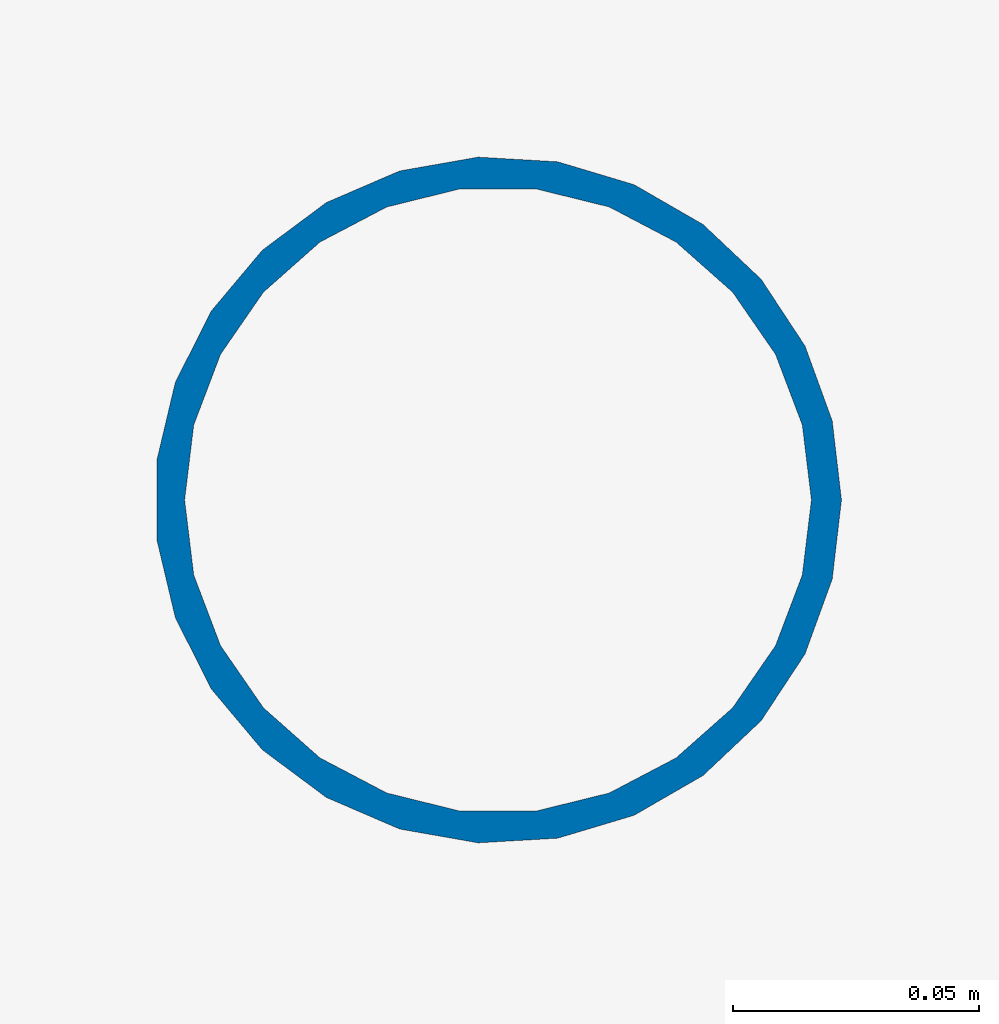
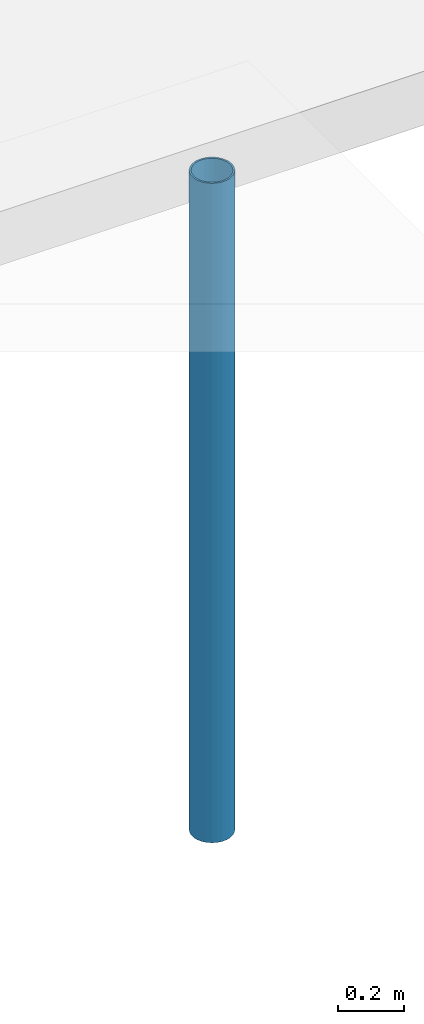
# One storey, part 12 of 71: 1 column.
"""IFC4 building model written with IfcOpenShell, lengths in metres."""

from ifc_helpers import new_model, si_unit, direction, frame, origin, origin_2d, place, context, subcontext, project, spatial, hollow_circle, extrude, material, material_profile, profile_set, type_object, element, save


model = new_model("IFC4")

# Units and contexts
model_context = context("Model", 3, precision=1e-05, world=origin(), true_north=direction((0.0, 1.0)))
body_context = subcontext(model_context, "Body", "Model", "MODEL_VIEW")
ifc_project = project(units=[si_unit("LENGTHUNIT", "METRE"), si_unit("AREAUNIT", "SQUARE_METRE"), si_unit("VOLUMEUNIT", "CUBIC_METRE"), si_unit("PLANEANGLEUNIT", "RADIAN"), si_unit("MASSUNIT", "GRAM", prefix="KILO")], contexts=[model_context])

# Site, building, storey
site_placement = place(None, origin())
site = spatial("IfcSite", under=ifc_project, at=site_placement, CompositionType="ELEMENT")
building_placement = place(site_placement, origin())
building = spatial("IfcBuilding", under=site, at=building_placement, Name="Basin Gate Institute", CompositionType="ELEMENT")
storey_placement = place(building_placement, origin())
storey = spatial("IfcBuildingStorey", under=building, at=storey_placement, Name="L00", CompositionType="ELEMENT", Elevation=0.0)

# Column
ifc_material = material(Name="Structural steel SN490", Category="steel")
ifc_material_profile = material_profile(ifc_material, hollow_circle(Radius=0.06982421875, WallThickness=0.006103515625, at=origin_2d()), Name="CHS139x6")
ifc_profile_set = profile_set([ifc_material_profile], Name="Structural steel SN490")
column_type = type_object("IfcColumnType", Name="Court steel TD4 Column column", PredefinedType="COLUMN", material=ifc_profile_set)
column_placement = place(storey_placement, frame((56.0, 105.0, -0.050048828125), z_axis=(0.0, 0.0, 1.0), x_axis=(1.0, 0.0, 0.0)))
element("IfcColumn", 1, at=column_placement, inside=storey, type_object=column_type, material=ifc_profile_set, Name="Laboratory Garden cycle store post", PredefinedType="COLUMN", context=body_context, shape_type="SweptSolid", body=[
    extrude(hollow_circle(Radius=0.06982421875, WallThickness=0.006103515625, at=origin_2d()), origin(), (0.0, 0.0, 1.0), 2.449951171875),
])

save(model, "model.ifc")
